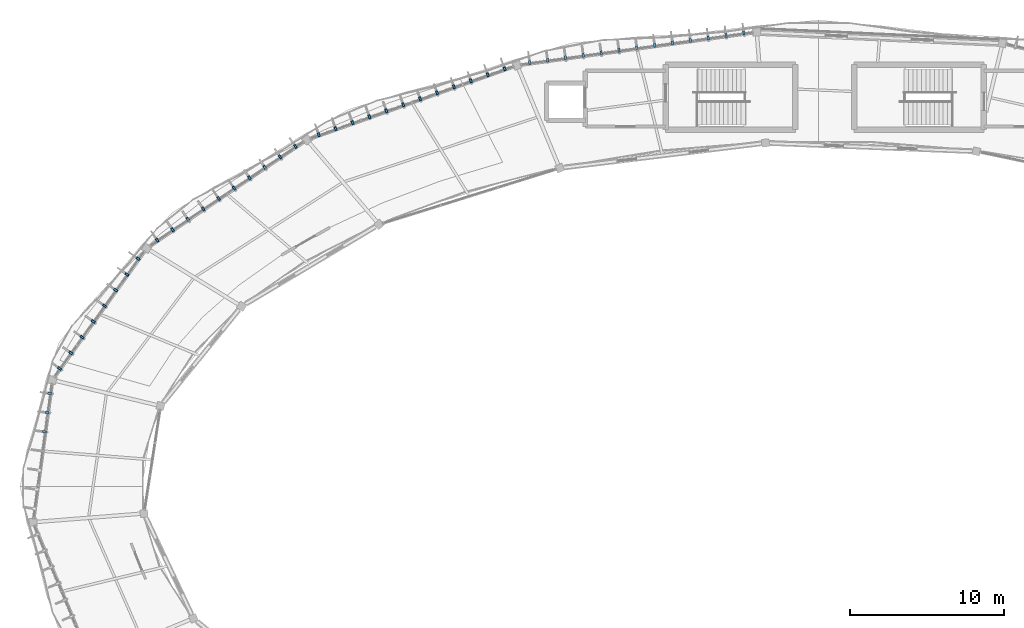
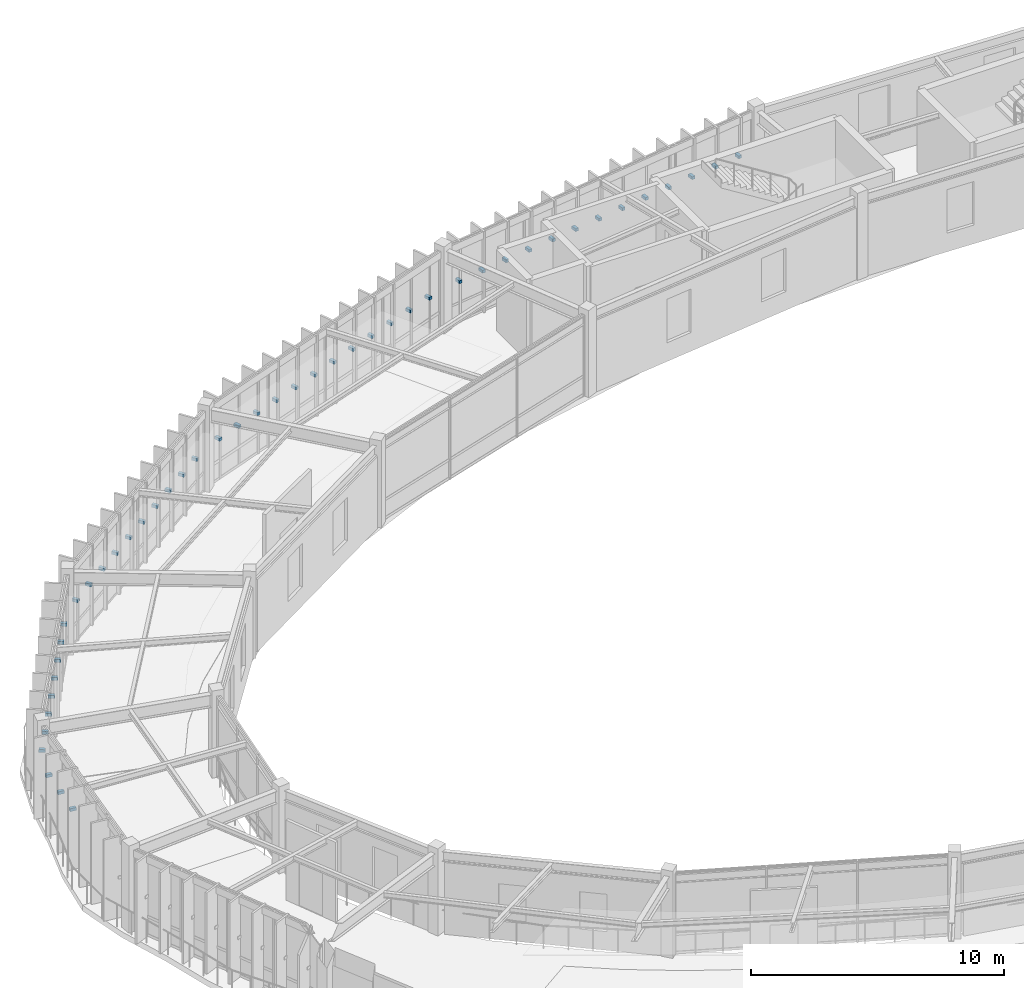
# One storey, part 73 of 78: 46 discrete accessories.
"""IFC4 building model written with IfcOpenShell, lengths in metres."""

import ifcopenshell
import ifcopenshell.guid

model = None  # the IFC model being written
_history = None  # IfcOwnerHistory: only IFC2X3 demands one
_inside = {}  # id of a spatial element -> (the spatial element, [elements in it])
_under = {}  # id of a project, library or spatial element -> (it, [spatial elements below it])
_declared = {}  # id of a project -> (the project, [libraries it declares])
_typed = {}  # id of a type object -> (the type object, [elements of that type])
_made_of = {}  # id of a material, layer set ... -> (it, [elements and type objects made of it])


def new_model(schema):
    """Start an empty IFC model of exactly this schema.

    Asked for "IFC4X3", IfcOpenShell would pick the latest addendum, in which some entities
    have other attributes; the version numbers below select the first issue.
    IFC2X3 requires an IfcOwnerHistory on every rooted entity: one is made here for all.
    """
    global model, _history
    if schema == "IFC4X3":
        model = ifcopenshell.file(schema_version=(4, 3, 0, 0))
    else:
        model = ifcopenshell.file(schema=schema)
    _inside.clear()
    _under.clear()
    _declared.clear()
    _typed.clear()
    _made_of.clear()
    _history = None
    if model.schema == "IFC2X3":
        org = make("IfcOrganization", Name="unknown")
        user = make(
            "IfcPersonAndOrganization",
            ThePerson=make("IfcPerson", FamilyName="unknown"),
            TheOrganization=org,
        )
        app = make(
            "IfcApplication",
            ApplicationDeveloper=org,
            Version="unknown",
            ApplicationFullName="unknown",
            ApplicationIdentifier="unknown",
        )
        _history = make(
            "IfcOwnerHistory",
            OwningUser=user,
            OwningApplication=app,
            ChangeAction="ADDED",
            CreationDate=0,
        )
    return model


def make(cls, **values):
    """One entity of the class cls with the attributes given. An attribute that is None is left unset."""
    return model.create_entity(
        cls, **{name: value for name, value in values.items() if value is not None}
    )


def rooted(cls, **values):
    """An entity with a GlobalId (a new one), such as an element, a storey or a relation."""
    return make(cls, GlobalId=ifcopenshell.guid.new(), OwnerHistory=_history, **values)


def si_unit(unit_type, name, prefix=None):
    """IfcSIUnit, for example si_unit("LENGTHUNIT", "METRE", prefix="MILLI")."""
    return make("IfcSIUnit", UnitType=unit_type, Prefix=prefix, Name=name)


def assignment(units):
    """IfcUnitAssignment: the units of a project."""
    return None if units is None else make("IfcUnitAssignment", Units=units)


def point(xyz):
    """IfcCartesianPoint."""
    return None if xyz is None else make("IfcCartesianPoint", Coordinates=xyz)


def direction(xyz):
    """IfcDirection."""
    return None if xyz is None else make("IfcDirection", DirectionRatios=xyz)


def frame(location, z_axis=None, x_axis=None):
    """IfcAxis2Placement3D, a coordinate frame: its origin and axes. An axis left out is left unset."""
    return make(
        "IfcAxis2Placement3D",
        Location=point(location),
        Axis=direction(z_axis),
        RefDirection=direction(x_axis),
    )


def frame_2d(location, x_axis=None):
    """IfcAxis2Placement2D, a coordinate frame in the plane: its origin and x axis."""
    return make(
        "IfcAxis2Placement2D", Location=point(location), RefDirection=direction(x_axis)
    )


def origin():
    """The frame at (0, 0, 0) with its axes left unset."""
    return frame((0.0, 0.0, 0.0))


def origin_2d():
    """The frame at (0, 0) in the plane with its x axis left unset."""
    return frame_2d((0.0, 0.0))


def place(relative_to, where):
    """IfcLocalPlacement: puts the frame where relative to a parent placement (None: the world)."""
    return make(
        "IfcLocalPlacement", PlacementRelTo=relative_to, RelativePlacement=where
    )


def context(
    kind, dimensions, precision=None, world=None, true_north=None, identifier=None
):
    """IfcGeometricRepresentationContext, for example the 3D "Model" context."""
    return make(
        "IfcGeometricRepresentationContext",
        ContextIdentifier=identifier,
        ContextType=kind,
        CoordinateSpaceDimension=dimensions,
        Precision=precision,
        WorldCoordinateSystem=world,
        TrueNorth=true_north,
    )


def subcontext(parent, identifier, kind, view, scale=None):
    """IfcGeometricRepresentationSubContext, for example "Body" below "Model"."""
    return make(
        "IfcGeometricRepresentationSubContext",
        ContextIdentifier=identifier,
        ContextType=kind,
        ParentContext=parent,
        TargetScale=scale,
        TargetView=view,
    )


def project(units=None, contexts=None):
    """IfcProject with its units and contexts."""
    return rooted(
        "IfcProject",
        Name="project",
        RepresentationContexts=contexts,
        UnitsInContext=assignment(units),
    )


def spatial(cls, under=None, at=None, **own):
    """A site, building, storey or space (cls), placed at a placement, below another one or the project."""
    s = rooted(cls, ObjectPlacement=at, **own)
    if under is not None:
        _under.setdefault(under.id(), (under, []))[1].append(s)
    return s


def profile(cls, at=None, kind="AREA", **sizes):
    """A parametric profile (cls). Its sizes go by their IFC names, for example OverallWidth=200.0."""
    return make(cls, ProfileType=kind, Position=at, **sizes)


def rectangle(**sizes):
    """IfcRectangleProfileDef."""
    return profile("IfcRectangleProfileDef", **sizes)


def extrude(swept, where, along, depth):
    """IfcExtrudedAreaSolid: the profile swept, set in the frame where, extruded along a direction by depth."""
    return make(
        "IfcExtrudedAreaSolid",
        SweptArea=swept,
        Position=where,
        ExtrudedDirection=direction(along),
        Depth=depth,
    )


def shape(context_of_items, identifier, shape_type, items):
    """IfcShapeRepresentation: the items that make up one representation, for example the "Body"."""
    return make(
        "IfcShapeRepresentation",
        ContextOfItems=context_of_items,
        RepresentationIdentifier=identifier,
        RepresentationType=shape_type,
        Items=items,
    )


def material(Name=None, Category=None):
    """IfcMaterial."""
    return make("IfcMaterial", Name=Name, Category=Category)


def made_of(thing, what):
    """Note that an element or type object is made of a material, layer set ...; save() writes the relation."""
    if what is not None:
        _made_of.setdefault(what.id(), (what, []))[1].append(thing)
    return thing


def type_object(cls, material=None, **own):
    """A type object (cls), such as IfcWallType, which elements share."""
    return made_of(rooted(cls, **own), material)


def element(
    cls,
    number,
    at=None,
    inside=None,
    cuts=None,
    type_object=None,
    material=None,
    context=None,
    identifier="Body",
    shape_type=None,
    held_by="IfcProductDefinitionShape",
    body=None,
    shapes=None,
    **own,
):
    """One element of the class cls, such as IfcWall. Its Tag is "e" and its number.

    at: its placement. inside: the storey or other place that contains it. cuts: it is an
    opening in that element (IfcRelVoidsElement). A single representation is given by context,
    identifier, shape_type and body (its items); several are given by shapes. held_by: the class
    of the entity that holds the representations. save() writes the other relations.
    """
    e = rooted(cls, Tag="e%d" % number, ObjectPlacement=at, **own)
    if body is not None:
        shapes = [shape(context, identifier, shape_type, body)]
    if shapes is not None:
        e.Representation = make(held_by, Representations=shapes)
    if inside is not None:
        _inside.setdefault(inside.id(), (inside, []))[1].append(e)
    if cuts is not None:
        rooted(
            "IfcRelVoidsElement", RelatingBuildingElement=cuts, RelatedOpeningElement=e
        )
    if type_object is not None:
        _typed.setdefault(type_object.id(), (type_object, []))[1].append(e)
    return made_of(e, material)


def aggregate(whole, parts):
    """IfcRelAggregates: a whole, such as a stair, and the parts it consists of."""
    return rooted("IfcRelAggregates", RelatingObject=whole, RelatedObjects=parts)


def save(model, path):
    """Write the relations noted so far, then the file.

    IfcRelAggregates (storeys below a building ...), IfcRelContainedInSpatialStructure (elements
    in a storey), IfcRelDefinesByType, IfcRelAssociatesMaterial and IfcRelDeclares: one each for
    every whole, place, type object, material and project.
    """
    for whole, parts in _under.values():
        aggregate(whole, parts)
    for where, things in _inside.values():
        rooted(
            "IfcRelContainedInSpatialStructure",
            RelatedElements=things,
            RelatingStructure=where,
        )
    for kind, things in _typed.values():
        rooted("IfcRelDefinesByType", RelatedObjects=things, RelatingType=kind)
    for what, things in _made_of.values():
        rooted("IfcRelAssociatesMaterial", RelatedObjects=things, RelatingMaterial=what)
    for by, libraries in _declared.values():
        rooted("IfcRelDeclares", RelatingContext=by, RelatedDefinitions=libraries)
    model.write(path)


model = new_model("IFC4")

# Units and contexts
model_context = context("Model", 3, precision=1e-05, world=origin(), true_north=direction((0.0, 1.0)))
body_context = subcontext(model_context, "Body", "Model", "MODEL_VIEW")
ifc_project = project(units=[si_unit("LENGTHUNIT", "METRE"), si_unit("AREAUNIT", "SQUARE_METRE"), si_unit("VOLUMEUNIT", "CUBIC_METRE"), si_unit("PLANEANGLEUNIT", "RADIAN"), si_unit("MASSUNIT", "GRAM", prefix="KILO"), si_unit("THERMODYNAMICTEMPERATUREUNIT", "KELVIN"), si_unit("POWERUNIT", "WATT")], contexts=[model_context])

# Site, building, storey
site_placement = place(None, origin())
site = spatial("IfcSite", under=ifc_project, at=site_placement, CompositionType="ELEMENT")
building_placement = place(site_placement, origin())
building = spatial("IfcBuilding", under=site, at=building_placement, Name="Darbajah Civic Hall", CompositionType="ELEMENT")
storey_placement = place(building_placement, frame((0.0, 0.0, 26.39990234375)))
storey = spatial("IfcBuildingStorey", under=building, at=storey_placement, Name="L06", CompositionType="ELEMENT", Elevation=26.39990234375)

# Discrete accessories
ifc_material = material(Name="Stainless Steel S355JR", Category="steel")
discrete_accessory_type = type_object("IfcDiscreteAccessoryType", Name="Stainless Facade Support Bracket", PredefinedType="BRACKET", material=ifc_material)
for number, where, z_axis, x_axis, name in (
    (1, (84.26318359375, 119.153564453125, 1.89013671875), (0.0, 0.0, 1.0), (-0.137617420457, 0.990485459553, 0.0), "L06 shading fin bracket 05-1"),
    (2, (83.108154296875, 118.9931640625, 1.89013671875), (0.0, 0.0, 1.0), (-0.137617420457, 0.990485459553, 0.0), "L06 shading fin bracket 05-2"),
    (3, (81.952880859375, 118.832763671875, 1.89013671875), (0.0, 0.0, 1.0), (-0.137617420457, 0.990485459553, 0.0), "L06 shading fin bracket 05-3"),
    (4, (80.7978515625, 118.67236328125, 1.89013671875), (0.0, 0.0, 1.0), (-0.137617420457, 0.990485459553, 0.0), "L06 shading fin bracket 05-4"),
    (5, (79.642822265625, 118.511962890625, 1.89013671875), (0.0, 0.0, 1.0), (-0.137617420457, 0.990485459553, 0.0), "L06 shading fin bracket 05-5"),
    (6, (78.48779296875, 118.3515625, 1.89013671875), (0.0, 0.0, 1.0), (-0.137617420457, 0.990485459553, 0.0), "L06 shading fin bracket 05-6"),
    (7, (77.33251953125, 118.191162109375, 1.89013671875), (0.0, 0.0, 1.0), (-0.137617420457, 0.990485459553, 0.0), "L06 shading fin bracket 05-7"),
    (8, (76.177490234375, 118.03076171875, 1.89013671875), (0.0, 0.0, 1.0), (-0.137617420457, 0.990485459553, 0.0), "L06 shading fin bracket 05-8"),
    (9, (75.0224609375, 117.870361328125, 1.89013671875), (0.0, 0.0, 1.0), (-0.137617420457, 0.990485459553, 0.0), "L06 shading fin bracket 05-9"),
    (10, (73.8671875, 117.7099609375, 1.89013671875), (0.0, 0.0, 1.0), (-0.137617420457, 0.990485459553, 0.0), "L06 shading fin bracket 05-10"),
    (11, (72.712158203125, 117.549560546875, 1.89013671875), (0.0, 0.0, 1.0), (-0.137617420457, 0.990485459553, 0.0), "L06 shading fin bracket 05-11"),
    (12, (71.55712890625, 117.38916015625, 1.89013671875), (0.0, 0.0, 1.0), (-0.137617420457, 0.990485459553, 0.0), "L06 shading fin bracket 05-12"),
    (13, (70.402099609375, 117.228759765625, 1.89013671875), (0.0, 0.0, 1.0), (-0.137617420457, 0.990485459553, 0.0), "L06 shading fin bracket 05-13"),
    (14, (68.778564453125, 116.832763671875, 1.89013671875), (0.0, 0.0, 1.0), (-0.334135882844, 0.94252491309, 0.0), "L06 shading fin bracket 06-1"),
    (15, (67.684326171875, 116.445068359375, 1.89013671875), (0.0, 0.0, 1.0), (-0.334135882844, 0.94252491309, 0.0), "L06 shading fin bracket 06-2"),
    (16, (66.590087890625, 116.05712890625, 1.89013671875), (0.0, 0.0, 1.0), (-0.334135882844, 0.94252491309, 0.0), "L06 shading fin bracket 06-3"),
    (17, (65.49609375, 115.669189453125, 1.89013671875), (0.0, 0.0, 1.0), (-0.334135882844, 0.94252491309, 0.0), "L06 shading fin bracket 06-4"),
    (18, (64.40185546875, 115.281494140625, 1.89013671875), (0.0, 0.0, 1.0), (-0.334135882844, 0.94252491309, 0.0), "L06 shading fin bracket 06-5"),
    (19, (63.3076171875, 114.893798828125, 1.89013671875), (0.0, 0.0, 1.0), (-0.334135882844, 0.94252491309, 0.0), "L06 shading fin bracket 06-6"),
    (20, (62.21337890625, 114.505859375, 1.89013671875), (0.0, 0.0, 1.0), (-0.334135882844, 0.94252491309, 0.0), "L06 shading fin bracket 06-7"),
    (21, (61.119384765625, 114.117919921875, 1.89013671875), (0.0, 0.0, 1.0), (-0.334135882844, 0.94252491309, 0.0), "L06 shading fin bracket 06-8"),
    (22, (60.025146484375, 113.730224609375, 1.89013671875), (0.0, 0.0, 1.0), (-0.334135882844, 0.94252491309, 0.0), "L06 shading fin bracket 06-9"),
    (23, (58.930908203125, 113.34228515625, 1.89013671875), (0.0, 0.0, 1.0), (-0.334135882844, 0.94252491309, 0.0), "L06 shading fin bracket 06-10"),
    (24, (57.8369140625, 112.95458984375, 1.89013671875), (0.0, 0.0, 1.0), (-0.334135882844, 0.94252491309, 0.0), "L06 shading fin bracket 06-11"),
    (25, (56.74267578125, 112.566650390625, 1.89013671875), (0.0, 0.0, 1.0), (-0.334135882844, 0.94252491309, 0.0), "L06 shading fin bracket 06-12"),
    (26, (55.238525390625, 111.8037109375, 1.89013671875), (0.0, 0.0, 1.0), (-0.560783509816, 0.827962472047, 0.0), "L06 shading fin bracket 07-1"),
    (27, (54.243896484375, 111.1298828125, 1.89013671875), (0.0, 0.0, 1.0), (-0.560783509816, 0.827962472047, 0.0), "L06 shading fin bracket 07-2"),
    (28, (53.24951171875, 110.45654296875, 1.89013671875), (0.0, 0.0, 1.0), (-0.560783509816, 0.827962472047, 0.0), "L06 shading fin bracket 07-3"),
    (29, (52.2548828125, 109.782958984375, 1.89013671875), (0.0, 0.0, 1.0), (-0.560783509816, 0.827962472047, 0.0), "L06 shading fin bracket 07-4"),
    (30, (51.260498046875, 109.109375, 1.89013671875), (0.0, 0.0, 1.0), (-0.560783509816, 0.827962472047, 0.0), "L06 shading fin bracket 07-5"),
    (31, (50.265869140625, 108.435791015625, 1.89013671875), (0.0, 0.0, 1.0), (-0.560783509816, 0.827962472047, 0.0), "L06 shading fin bracket 07-6"),
    (32, (49.271240234375, 107.76220703125, 1.89013671875), (0.0, 0.0, 1.0), (-0.560783509816, 0.827962472047, 0.0), "L06 shading fin bracket 07-7"),
    (33, (48.27685546875, 107.088623046875, 1.89013671875), (0.0, 0.0, 1.0), (-0.560783509816, 0.827962472047, 0.0), "L06 shading fin bracket 07-8"),
    (34, (47.2822265625, 106.4150390625, 1.89013671875), (0.0, 0.0, 1.0), (-0.560783509816, 0.827962472047, 0.0), "L06 shading fin bracket 07-9"),
    (35, (46.28759765625, 105.741455078125, 1.89013671875), (0.0, 0.0, 1.0), (-0.560783509816, 0.827962472047, 0.0), "L06 shading fin bracket 07-10"),
    (36, (45.056640625, 104.536376953125, 1.89013671875), (0.0, 0.0, 1.0), (-0.812999149039, 0.582264874145, 0.0), "L06 shading fin bracket 08-1"),
    (37, (44.330078125, 103.521728515625, 1.89013671875), (0.0, 0.0, 1.0), (-0.812999149039, 0.582264874145, 0.0), "L06 shading fin bracket 08-2"),
    (38, (43.603515625, 102.507080078125, 1.89013671875), (0.0, 0.0, 1.0), (-0.812999149039, 0.582264874145, 0.0), "L06 shading fin bracket 08-3"),
    (39, (42.876708984375, 101.492431640625, 1.89013671875), (0.0, 0.0, 1.0), (-0.812999149039, 0.582264874145, 0.0), "L06 shading fin bracket 08-4"),
    (40, (42.150146484375, 100.477783203125, 1.89013671875), (0.0, 0.0, 1.0), (-0.812999149039, 0.582264874145, 0.0), "L06 shading fin bracket 08-5"),
    (41, (41.423583984375, 99.463134765625, 1.89013671875), (0.0, 0.0, 1.0), (-0.812999149039, 0.582264874145, 0.0), "L06 shading fin bracket 08-6"),
    (42, (40.697021484375, 98.448486328125, 1.89013671875), (0.0, 0.0, 1.0), (-0.812999149039, 0.582264874145, 0.0), "L06 shading fin bracket 08-7"),
    (43, (39.97021484375, 97.433837890625, 1.89013671875), (0.0, 0.0, 1.0), (-0.812999149039, 0.582264874145, 0.0), "L06 shading fin bracket 08-8"),
    (44, (39.3310546875, 95.823486328125, 1.89013671875), (0.0, 0.0, 1.0), (-0.990865897387, 0.134850930274, 0.0), "L06 shading fin bracket 09-1"),
    (45, (39.162109375, 94.580322265625, 1.89013671875), (0.0, 0.0, 1.0), (-0.990865897387, 0.134850930274, 0.0), "L06 shading fin bracket 09-2"),
    (46, (38.992919921875, 93.337158203125, 1.89013671875), (0.0, 0.0, 1.0), (-0.990865897387, 0.134850930274, 0.0), "L06 shading fin bracket 09-3"),
):
    element("IfcDiscreteAccessory", number, at=place(storey_placement, frame(where, z_axis=z_axis, x_axis=x_axis)), inside=storey, type_object=discrete_accessory_type, Name=name, PredefinedType="BRACKET", context=body_context, shape_type="SweptSolid", body=[
        extrude(rectangle(XDim=0.260009765625, YDim=0.139892578125, at=origin_2d()), origin(), (0.0, 0.0, 1.0), 0.139892578125),
    ])

save(model, "model.ifc")
